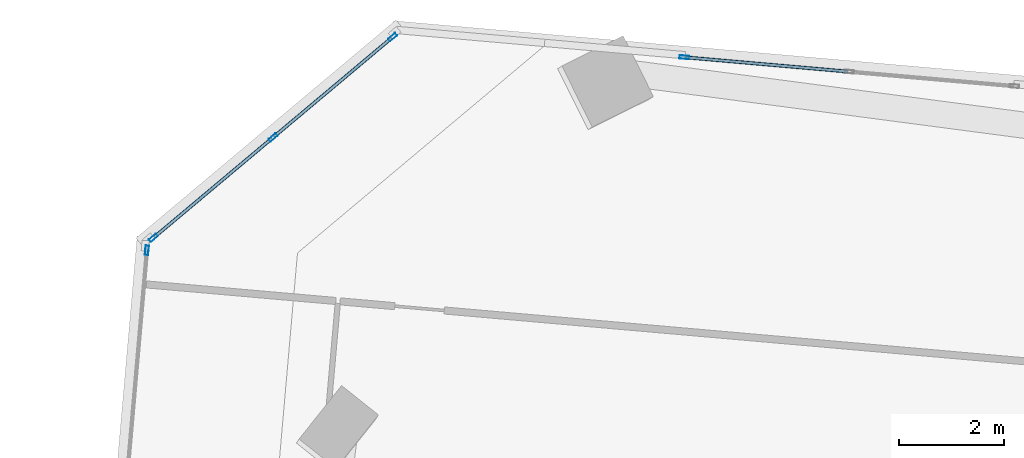
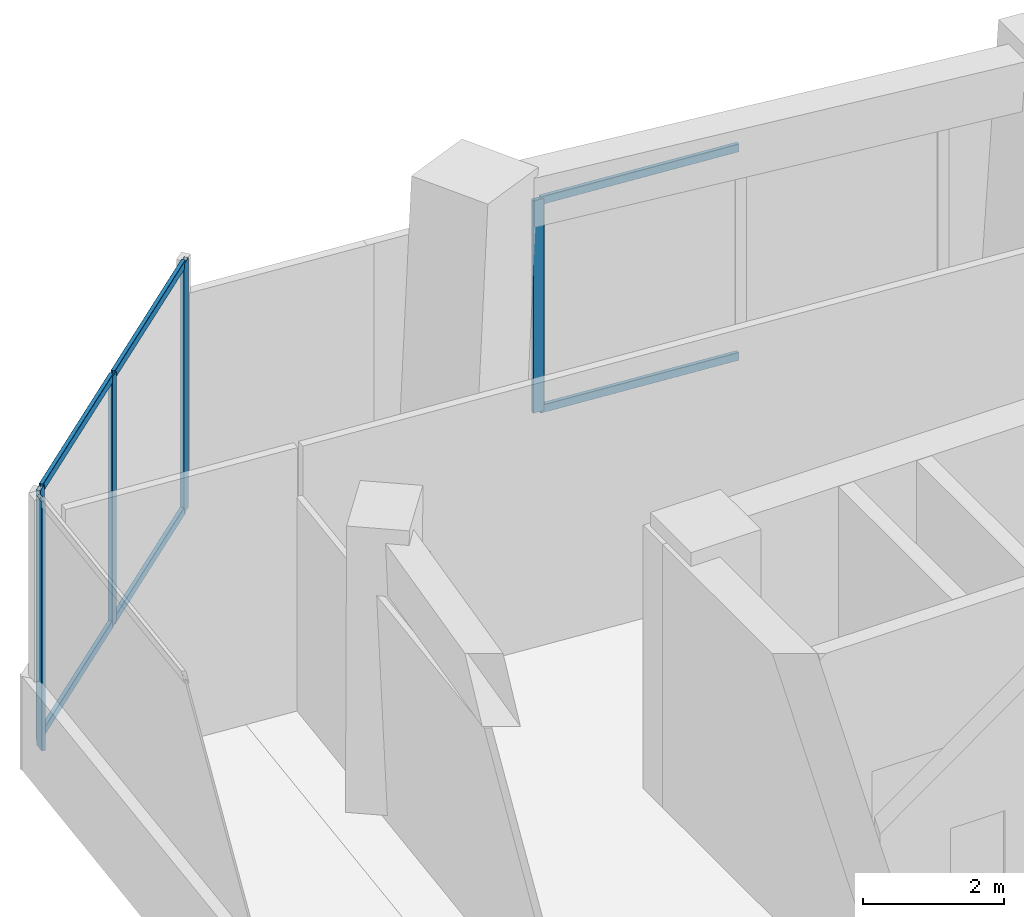
# One storey, part 14 of 23: 11 members, 3 elements without a shape of their own.
"""IFC4 building model written with IfcOpenShell, lengths in metres."""

from ifc_helpers import new_model, si_unit, direction, frame, origin, origin_2d, place, context, subcontext, project, spatial, hollow_rectangle, extrude, source, transform, mapped, material, material_profile, profile_set, type_object, element, aggregate, save


model = new_model("IFC4")

# Units and contexts
model_context = context("Model", 3, precision=1e-05, world=origin(), true_north=direction((0.0, 1.0)))
body_context = subcontext(model_context, "Body", "Model", "MODEL_VIEW")
ifc_project = project(units=[si_unit("LENGTHUNIT", "METRE"), si_unit("AREAUNIT", "SQUARE_METRE"), si_unit("VOLUMEUNIT", "CUBIC_METRE"), si_unit("PLANEANGLEUNIT", "RADIAN"), si_unit("MASSUNIT", "GRAM", prefix="KILO")], contexts=[model_context])

# Site, building, storey
site_placement = place(None, origin())
site = spatial("IfcSite", under=ifc_project, at=site_placement, CompositionType="ELEMENT")
building_placement = place(site_placement, origin())
building = spatial("IfcBuilding", under=site, at=building_placement, Name="Torre Montelarca", CompositionType="ELEMENT")
storey_placement = place(building_placement, frame((0.0, 0.0, 56.800048828125)))
storey = spatial("IfcBuildingStorey", under=building, at=storey_placement, Name="L12", CompositionType="ELEMENT", Elevation=56.800048828125)

# Curtain wall, members
ifc_material_1 = material(Name="Insulated low-E laminated glass", Category="glass")
curtain_wall_type = type_object("IfcCurtainWallType", Name="CW-SYS-Z1", PredefinedType="USERDEFINED", material=ifc_material_1)
curtain_wall_1_placement = place(storey_placement, origin())
curtain_wall_1 = element("IfcCurtainWall", 1, at=curtain_wall_1_placement, inside=storey, type_object=curtain_wall_type, Name="L12 Curtain Wall Run CW-T3-L12-E09-B1", ObjectType="UNITISED GLAZING", PredefinedType="USERDEFINED")
ifc_material_2 = material(Name="Anodised aluminium AA 6063-T6", Category="aluminium")
ifc_material_profile_1 = material_profile(ifc_material_2, hollow_rectangle(XDim=0.06494140625, YDim=0.179931640625, WallThickness=0.00390625, InnerFilletRadius=0.00390625, OuterFilletRadius=0.008056640625, at=origin_2d()), Name="ALU65X180X4", Category="aluminium")
ifc_profile_set_1 = profile_set([ifc_material_profile_1], Name="Anodised aluminium AA 6063-T6")
member_type_1 = type_object("IfcMemberType", Name="CWM-ALU180", PredefinedType="MULLION", material=ifc_profile_set_1)
shared_shape_1 = source(origin(), body_context, "Body", "SweptSolid", [
    extrude(hollow_rectangle(XDim=0.06494140625, YDim=0.179931640625, WallThickness=0.00390625, InnerFilletRadius=0.00390625, OuterFilletRadius=0.008056640625, at=origin_2d()), origin(), (0.0, 0.0, 1.0), 4.320068359375),
])
member_1_placement = place(storey_placement, frame((6.705322265625, 49.3232421875, 0.0), z_axis=(0.0, 0.0, 1.0), x_axis=(0.642789614074, -0.766042761233, 0.0)))
member_1 = element("IfcMember", 2, at=member_1_placement, type_object=member_type_1, Name="CW mullion 1", PredefinedType="MULLION", context=body_context, shape_type="MappedRepresentation", body=[
    mapped(shared_shape_1, transform((0.0, 0.0, 0.0), scale=1.0)),
])
member_2_placement = place(storey_placement, frame((4.419677734375, 47.4052734375, 0.0), z_axis=(0.0, 0.0, 1.0), x_axis=(0.642789614074, -0.766042761233, 0.0)))
member_2 = element("IfcMember", 3, at=member_2_placement, type_object=member_type_1, Name="CW mullion 2", PredefinedType="MULLION", context=body_context, shape_type="MappedRepresentation", body=[
    mapped(shared_shape_1, transform((0.0, 0.0, 0.0), scale=1.0)),
])
member_3_placement = place(storey_placement, frame((2.134033203125, 45.487548828125, 0.0), z_axis=(0.0, 0.0, 1.0), x_axis=(0.642789614074, -0.766042761233, 0.0)))
member_3 = element("IfcMember", 4, at=member_3_placement, type_object=member_type_1, Name="CW mullion 3", PredefinedType="MULLION", context=body_context, shape_type="MappedRepresentation", body=[
    mapped(shared_shape_1, transform((0.0, 0.0, 0.0), scale=1.0)),
])

# Curtain wall, member
curtain_wall_2_placement = place(storey_placement, origin())
curtain_wall_2 = element("IfcCurtainWall", 5, at=curtain_wall_2_placement, inside=storey, type_object=curtain_wall_type, Name="L12 Curtain Wall Run CW-T3-L12-E10-B1", ObjectType="UNITISED GLAZING", PredefinedType="USERDEFINED")
member_4_placement = place(storey_placement, frame((2.0107421875, 45.250732421875, 0.0), z_axis=(0.0, 0.0, 1.0), x_axis=(0.99619413316, -0.087162199711, 0.0)))
member_4 = element("IfcMember", 6, at=member_4_placement, type_object=member_type_1, Name="CW mullion 1", PredefinedType="MULLION", context=body_context, shape_type="MappedRepresentation", body=[
    mapped(shared_shape_1, transform((0.0, 0.0, 0.0), scale=1.0)),
])
aggregate(curtain_wall_2, [member_4])

# Member
ifc_material_profile_2 = material_profile(ifc_material_2, hollow_rectangle(XDim=0.06494140625, YDim=0.139892578125, WallThickness=0.00390625, InnerFilletRadius=0.00390625, OuterFilletRadius=0.008056640625, at=origin_2d()), Name="ALU65X140X4", Category="aluminium")
ifc_profile_set_2 = profile_set([ifc_material_profile_2], Name="Anodised aluminium AA 6063-T6")
member_type_2 = type_object("IfcMemberType", Name="CWT-ALU140", PredefinedType="USERDEFINED", material=ifc_profile_set_2)
shared_shape_2 = source(origin(), body_context, "Body", "SweptSolid", [
    extrude(hollow_rectangle(XDim=0.06494140625, YDim=0.139892578125, WallThickness=0.00390625, InnerFilletRadius=0.00390625, OuterFilletRadius=0.008056640625, at=origin_2d()), origin(), (0.0, 0.0, 1.0), 2.918701171875),
])
member_5_placement = place(storey_placement, frame((6.680419921875, 49.30224609375, 0.032470703125), z_axis=(-0.766063983954, -0.642764321107, 0.0), x_axis=(0.642764321107, -0.766063983954, 0.0)))
member_5 = element("IfcMember", 7, at=member_5_placement, type_object=member_type_2, Name="CW transom 1.1", ObjectType="TRANSOM", PredefinedType="USERDEFINED", context=body_context, shape_type="MappedRepresentation", body=[
    mapped(shared_shape_2, transform((0.0, 0.0, 0.0), scale=1.0)),
])

member_6_placement = place(storey_placement, frame((6.680419921875, 49.30224609375, 4.287353515625), z_axis=(-0.766063983954, -0.642764321107, 0.0), x_axis=(0.642764321107, -0.766063983954, 0.0)))
member_6 = element("IfcMember", 8, at=member_6_placement, type_object=member_type_2, Name="CW transom 1.2", ObjectType="TRANSOM", PredefinedType="USERDEFINED", context=body_context, shape_type="MappedRepresentation", body=[
    mapped(shared_shape_2, transform((0.0, 0.0, 0.0), scale=1.0)),
])

member_7_placement = place(storey_placement, frame((4.394775390625, 47.384521484375, 0.032470703125), z_axis=(-0.766022795599, -0.642813407314, 0.0), x_axis=(0.642813407314, -0.766022795599, 0.0)))
member_7 = element("IfcMember", 9, at=member_7_placement, type_object=member_type_2, Name="CW transom 2.1", ObjectType="TRANSOM", PredefinedType="USERDEFINED", context=body_context, shape_type="MappedRepresentation", body=[
    mapped(shared_shape_2, transform((0.0, 0.0, 0.0), scale=1.0)),
])

member_8_placement = place(storey_placement, frame((4.394775390625, 47.384521484375, 4.287353515625), z_axis=(-0.766022795599, -0.642813407314, 0.0), x_axis=(0.642813407314, -0.766022795599, 0.0)))
member_8 = element("IfcMember", 10, at=member_8_placement, type_object=member_type_2, Name="CW transom 2.2", ObjectType="TRANSOM", PredefinedType="USERDEFINED", context=body_context, shape_type="MappedRepresentation", body=[
    mapped(shared_shape_2, transform((0.0, 0.0, 0.0), scale=1.0)),
])

aggregate(curtain_wall_1, [member_1, member_2, member_3, member_5, member_6, member_7, member_8])

# Curtain wall, members
curtain_wall_3_placement = place(storey_placement, origin())
curtain_wall_3 = element("IfcCurtainWall", 11, at=curtain_wall_3_placement, inside=storey, type_object=curtain_wall_type, Name="L12 Curtain Wall Run CW-T3-L12-E08-B3", ObjectType="UNITISED GLAZING", PredefinedType="USERDEFINED")
shared_shape_3 = source(origin(), body_context, "Body", "SweptSolid", [
    extrude(hollow_rectangle(XDim=0.06494140625, YDim=0.179931640625, WallThickness=0.00390625, InnerFilletRadius=0.00390625, OuterFilletRadius=0.008056640625, at=origin_2d()), origin(), (0.0, 0.0, 1.0), 3.675048828125),
])
member_9_placement = place(storey_placement, frame((12.2763671875, 48.9384765625, 0.0), z_axis=(0.0, 0.0, 1.0), x_axis=(-0.087160358615, -0.996194294245, 0.0)))
member_9 = element("IfcMember", 12, at=member_9_placement, type_object=member_type_1, Name="CW mullion 3", PredefinedType="MULLION", context=body_context, shape_type="MappedRepresentation", body=[
    mapped(shared_shape_3, transform((0.0, 0.0, 0.0), scale=1.0)),
])
shared_shape_4 = source(origin(), body_context, "Body", "SweptSolid", [
    extrude(hollow_rectangle(XDim=0.06494140625, YDim=0.139892578125, WallThickness=0.00390625, InnerFilletRadius=0.00390625, OuterFilletRadius=0.008056640625, at=origin_2d()), origin(), (0.0, 0.0, 1.0), 3.1015625),
])
member_10_placement = place(storey_placement, frame((15.398681640625, 48.665283203125, 0.032470703125), z_axis=(-0.996196451042, 0.087135704117, 0.0), x_axis=(-0.087135704117, -0.996196451042, 0.0)))
member_10 = element("IfcMember", 13, at=member_10_placement, type_object=member_type_2, Name="CW transom 2.1", ObjectType="TRANSOM", PredefinedType="USERDEFINED", context=body_context, shape_type="MappedRepresentation", body=[
    mapped(shared_shape_4, transform((0.0, 0.0, 0.0), scale=1.0)),
])
member_11_placement = place(storey_placement, frame((15.398681640625, 48.665283203125, 3.642333984375), z_axis=(-0.996196451042, 0.087135704117, 0.0), x_axis=(-0.087135704117, -0.996196451042, 0.0)))
member_11 = element("IfcMember", 14, at=member_11_placement, type_object=member_type_2, Name="CW transom 2.2", ObjectType="TRANSOM", PredefinedType="USERDEFINED", context=body_context, shape_type="MappedRepresentation", body=[
    mapped(shared_shape_4, transform((0.0, 0.0, 0.0), scale=1.0)),
])
aggregate(curtain_wall_3, [member_9, member_10, member_11])

save(model, "model.ifc")
